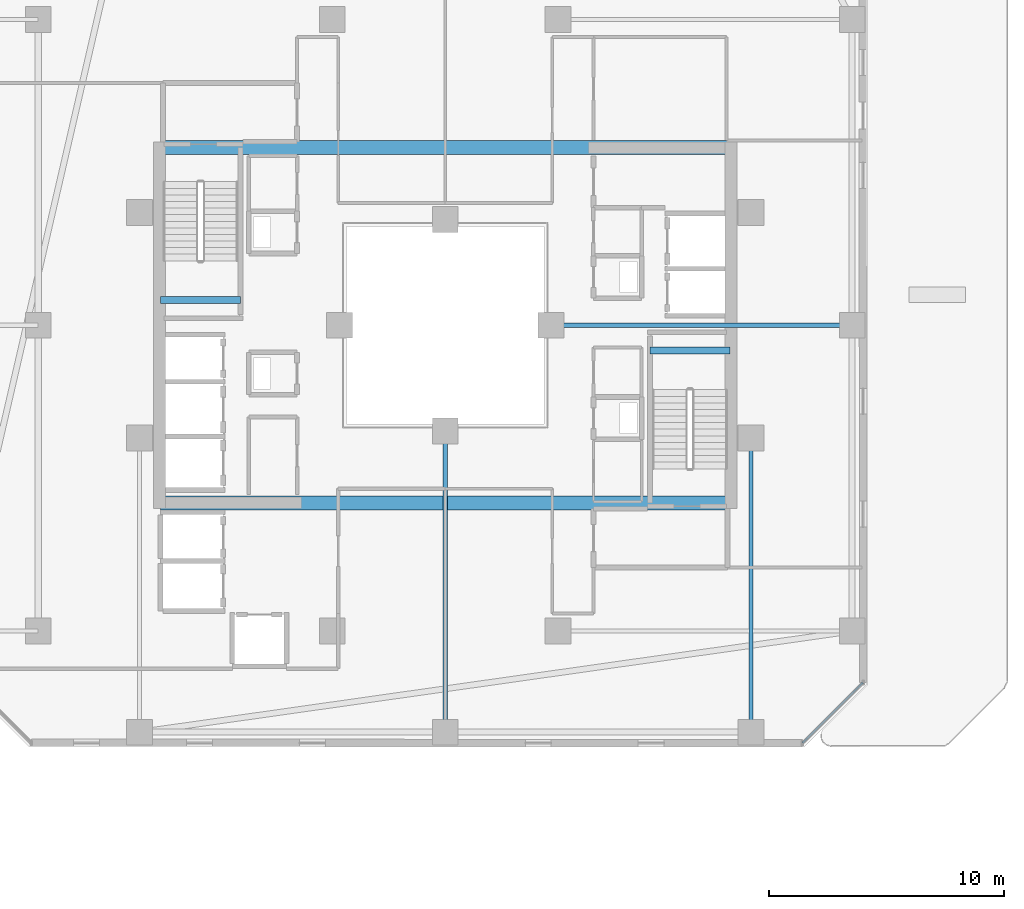
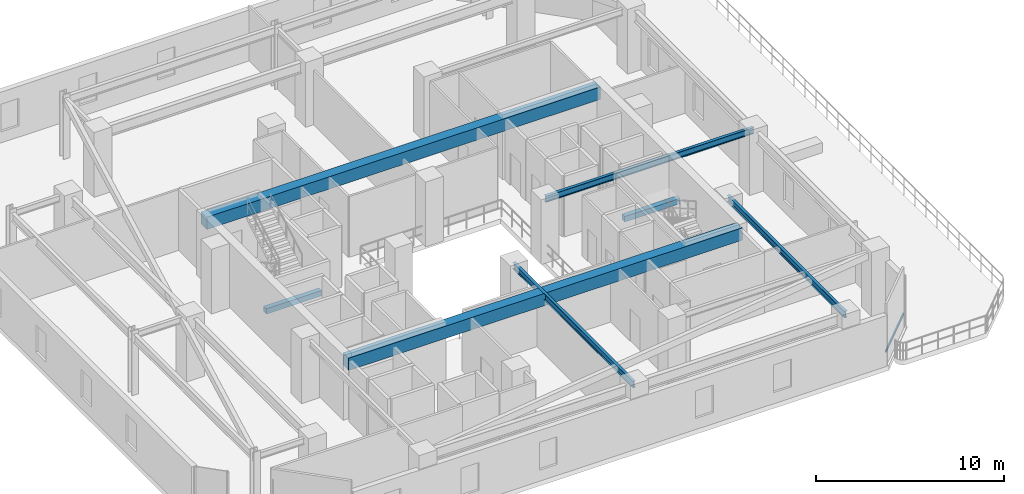
# One storey, part 14 of 33: 7 beams, 1 member, 1 element without a shape of its own.
"""IFC4 building model written with IfcOpenShell, lengths in metres."""

from ifc_helpers import new_model, si_unit, direction, frame, origin, origin_2d, place, context, subcontext, project, spatial, rectangle, hollow_rectangle, i_section, extrude, material, material_profile, profile_set, type_object, element, aggregate, save


model = new_model("IFC4")

# Units and contexts
model_context = context("Model", 3, precision=1e-05, world=origin(), true_north=direction((0.0, 1.0)))
body_context = subcontext(model_context, "Body", "Model", "MODEL_VIEW")
ifc_project = project(units=[si_unit("LENGTHUNIT", "METRE"), si_unit("AREAUNIT", "SQUARE_METRE"), si_unit("VOLUMEUNIT", "CUBIC_METRE"), si_unit("PLANEANGLEUNIT", "RADIAN"), si_unit("MASSUNIT", "GRAM", prefix="KILO")], contexts=[model_context])

# Site, building, storey
site_placement = place(None, origin())
site = spatial("IfcSite", under=ifc_project, at=site_placement, CompositionType="ELEMENT")
building_placement = place(site_placement, origin())
building = spatial("IfcBuilding", under=site, at=building_placement, Name="Thornwick Lancets Civic Towers", CompositionType="ELEMENT")
storey_placement = place(building_placement, frame((0.0, 0.0, 174.300048828125)))
storey = spatial("IfcBuildingStorey", under=building, at=storey_placement, Name="L46", CompositionType="ELEMENT", Elevation=174.300048828125)

# Beams
ifc_material_1 = material(Name="Concrete C60/75", Category="concrete")
ifc_material_profile_1 = material_profile(ifc_material_1, rectangle(XDim=0.60009765625, YDim=0.800048828125, at=origin_2d()), Name="RC 600x800")
ifc_profile_set_1 = profile_set([ifc_material_profile_1], Name="Concrete C60/75")
beam_type_1 = type_object("IfcBeamType", Name="BM_COUP_RC800", PredefinedType="BEAM", material=ifc_profile_set_1)
for number, where, z_axis, x_axis, name in (
    (1, (76.39990234375, 34.550048828125, 3.56005859375), (1.0, 0.0, 0.0), (0.0, 1.0, 0.0), "CB-L46-B1"),
    (2, (76.39990234375, 19.449951171875, 3.56005859375), (1.0, 0.0, 0.0), (0.0, 1.0, 0.0), "CB-L46-B2"),
):
    element("IfcBeam", number, at=place(storey_placement, frame(where, z_axis=z_axis, x_axis=x_axis)), inside=storey, type_object=beam_type_1, Name=name, PredefinedType="BEAM", context=body_context, shape_type="SweptSolid", body=[
        extrude(rectangle(XDim=0.60009765625, YDim=0.800048828125, at=origin_2d()), origin(), (0.0, 0.0, 1.0), 24.2001953125),
    ])
ifc_material_2 = material(Name="Steel S355JR", Category="steel")
ifc_material_profile_2 = material_profile(ifc_material_2, i_section(OverallWidth=0.179443359375, OverallDepth=0.412841796875, WebThickness=0.009521484375, FlangeThickness=0.01611328125, FilletRadius=0.01025390625, at=origin_2d()), Name="UKB 406x178x74")
ifc_profile_set_2 = profile_set([ifc_material_profile_2], Name="Steel S355JR")
beam_type_2 = type_object("IfcBeamType", Name="BM_JOIST_406_74", PredefinedType="JOIST", material=ifc_profile_set_2)
beam_1_placement = place(storey_placement, frame((93.0, 27.0, 3.753662109375), z_axis=(1.0, 0.0, 0.0), x_axis=(0.0, 1.0, 0.0)))
element("IfcBeam", 3, at=beam_1_placement, inside=storey, type_object=beam_type_2, Name="BM-RADIN-L46-B02", PredefinedType="JOIST", context=body_context, shape_type="SweptSolid", body=[
    extrude(i_section(OverallWidth=0.179443359375, OverallDepth=0.412841796875, WebThickness=0.009521484375, FlangeThickness=0.01611328125, FilletRadius=0.01025390625, at=origin_2d()), origin(), (0.0, 0.0, 1.0), 12.800048828125),
])
beam_2_placement = place(storey_placement, frame((101.5, 22.199951171875, 3.753662109375), z_axis=(0.0, -1.0, 0.0), x_axis=(1.0, 0.0, 0.0)))
element("IfcBeam", 4, at=beam_2_placement, inside=storey, type_object=beam_type_2, Name="BM-RADIN-L46-B10", PredefinedType="JOIST", context=body_context, shape_type="SweptSolid", body=[
    extrude(i_section(OverallWidth=0.179443359375, OverallDepth=0.412841796875, WebThickness=0.009521484375, FlangeThickness=0.01611328125, FilletRadius=0.01025390625, at=origin_2d()), origin(), (0.0, 0.0, 1.0), 12.5),
])
beam_3_placement = place(storey_placement, frame((88.5, 22.5, 3.753662109375), z_axis=(0.0, -1.0, 0.0), x_axis=(1.0, 0.0, 0.0)))
element("IfcBeam", 5, at=beam_3_placement, inside=storey, type_object=beam_type_2, Name="BM-RADIN-L46-B11", PredefinedType="JOIST", context=body_context, shape_type="SweptSolid", body=[
    extrude(i_section(OverallWidth=0.179443359375, OverallDepth=0.412841796875, WebThickness=0.009521484375, FlangeThickness=0.01611328125, FilletRadius=0.01025390625, at=origin_2d()), origin(), (0.0, 0.0, 1.0), 12.800048828125),
])
ifc_material_3 = material(Name="Concrete C40/50", Category="concrete")
ifc_material_profile_3 = material_profile(ifc_material_3, rectangle(XDim=0.300048828125, YDim=0.35009765625, at=origin_2d()), Name="RC 300x350")
ifc_profile_set_3 = profile_set([ifc_material_profile_3], Name="Concrete C40/50")
beam_type_3 = type_object("IfcBeamType", Name="BM_STAIR_LDG", PredefinedType="BEAM", material=ifc_profile_set_3)
for number, where, z_axis, x_axis, name in (
    (6, (100.60009765625, 25.93505859375, 1.677978515625), (-1.0, 0.0, 0.0), (0.0, -1.0, 0.0), "L46 ST-B1 Landing Support Beam 1"),
    (7, (76.39990234375, 28.06494140625, 1.677978515625), (1.0, 0.0, 0.0), (0.0, 1.0, 0.0), "L46 ST-B2 Landing Support Beam 1"),
):
    element("IfcBeam", number, at=place(storey_placement, frame(where, z_axis=z_axis, x_axis=x_axis)), inside=storey, type_object=beam_type_3, Name=name, PredefinedType="BEAM", context=body_context, shape_type="SweptSolid", body=[
        extrude(rectangle(XDim=0.300048828125, YDim=0.35009765625, at=origin_2d()), origin(), (0.0, 0.0, 1.0), 3.400146484375),
    ])

# Curtain wall, member
ifc_material_4 = material(Name="Mid-zone chamfered-corner unitised glass curtain wall", Category="glass")
curtain_wall_type = type_object("IfcCurtainWallType", Name="CW_SYS_04", PredefinedType="NOTDEFINED", material=ifc_material_4)
curtain_wall_placement = place(storey_placement, origin())
curtain_wall = element("IfcCurtainWall", 8, at=curtain_wall_placement, inside=storey, type_object=curtain_wall_type, Name="L46 Curtain Wall CW-L46-B-E1", PredefinedType="NOTDEFINED")
ifc_material_5 = material(Name="Thermally broken bronze aluminium S355", Category="steel")
ifc_material_profile_4 = material_profile(ifc_material_5, hollow_rectangle(XDim=0.074951171875, YDim=0.14990234375, WallThickness=0.0048828125, at=origin_2d()), Name="RHS 150x75x5")
ifc_profile_set_4 = profile_set([ifc_material_profile_4], Name="Thermally broken bronze aluminium S355")
member_type = type_object("IfcMemberType", Name="CW_TRN_150", PredefinedType="USERDEFINED", material=ifc_profile_set_4)
member_placement = place(storey_placement, frame((103.695556640625, 9.24951171875, 0.849853515625), z_axis=(0.707106781187, 0.707106781187, 0.0), x_axis=(-0.707106781187, 0.707106781187, 0.0)))
member = element("IfcMember", 9, at=member_placement, type_object=member_type, Name="CW-L46-B-E1 Transom 0", ObjectType="TRANSOM", PredefinedType="USERDEFINED", context=body_context, shape_type="SweptSolid", body=[
    extrude(hollow_rectangle(XDim=0.074951171875, YDim=0.14990234375, WallThickness=0.0048828125, at=origin_2d()), origin(), (0.0, 0.0, 1.0), 3.61328125),
])
aggregate(curtain_wall, [member])

save(model, "model.ifc")
